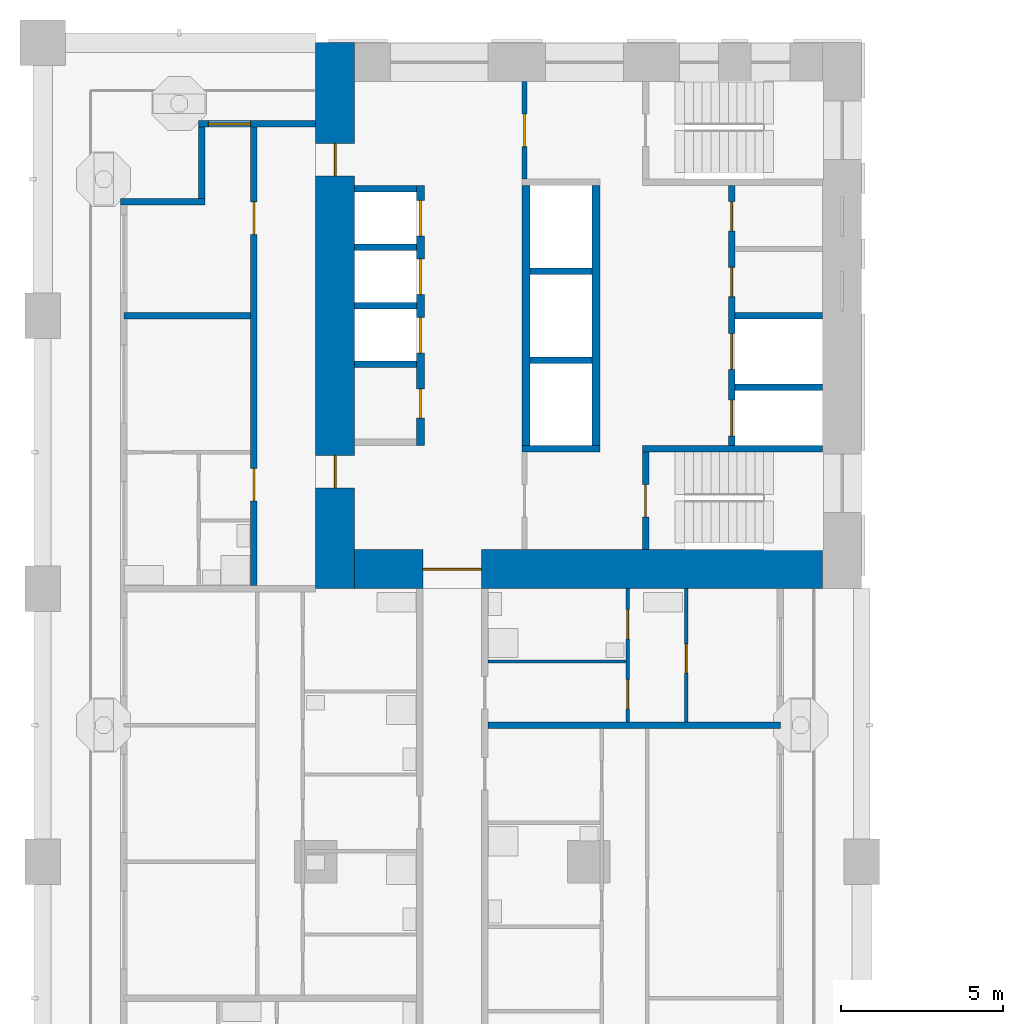
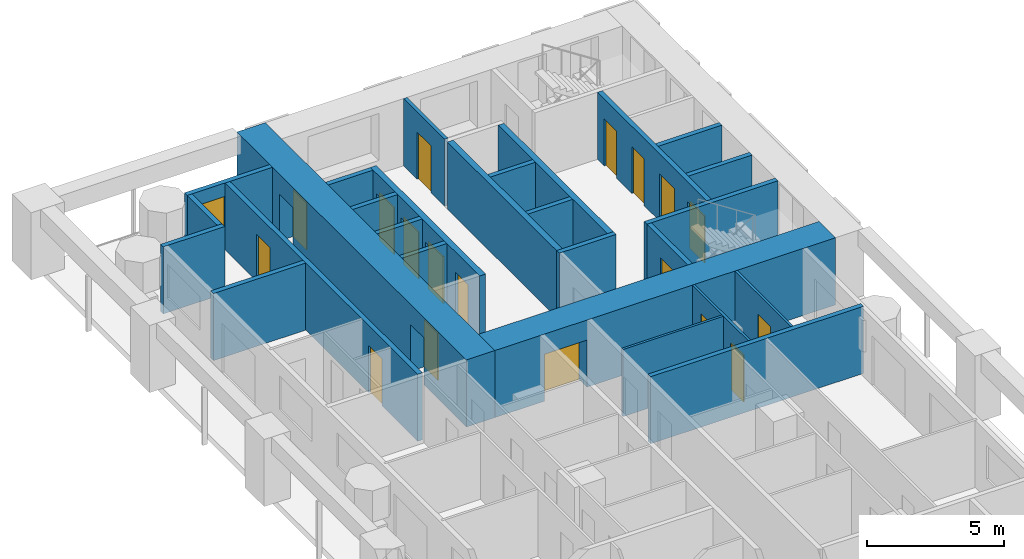
# One storey, part 9 of 21: 27 walls, 18 doors, 1 window, 19 openings.
"""IFC4 building model written with IfcOpenShell, lengths in metres."""

import ifcopenshell
import ifcopenshell.guid

model = None  # the IFC model being written
_history = None  # IfcOwnerHistory: only IFC2X3 demands one
_inside = {}  # id of a spatial element -> (the spatial element, [elements in it])
_under = {}  # id of a project, library or spatial element -> (it, [spatial elements below it])
_declared = {}  # id of a project -> (the project, [libraries it declares])
_typed = {}  # id of a type object -> (the type object, [elements of that type])
_made_of = {}  # id of a material, layer set ... -> (it, [elements and type objects made of it])


def new_model(schema):
    """Start an empty IFC model of exactly this schema.

    Asked for "IFC4X3", IfcOpenShell would pick the latest addendum, in which some entities
    have other attributes; the version numbers below select the first issue.
    IFC2X3 requires an IfcOwnerHistory on every rooted entity: one is made here for all.
    """
    global model, _history
    if schema == "IFC4X3":
        model = ifcopenshell.file(schema_version=(4, 3, 0, 0))
    else:
        model = ifcopenshell.file(schema=schema)
    _inside.clear()
    _under.clear()
    _declared.clear()
    _typed.clear()
    _made_of.clear()
    _history = None
    if model.schema == "IFC2X3":
        org = make("IfcOrganization", Name="unknown")
        user = make(
            "IfcPersonAndOrganization",
            ThePerson=make("IfcPerson", FamilyName="unknown"),
            TheOrganization=org,
        )
        app = make(
            "IfcApplication",
            ApplicationDeveloper=org,
            Version="unknown",
            ApplicationFullName="unknown",
            ApplicationIdentifier="unknown",
        )
        _history = make(
            "IfcOwnerHistory",
            OwningUser=user,
            OwningApplication=app,
            ChangeAction="ADDED",
            CreationDate=0,
        )
    return model


def make(cls, **values):
    """One entity of the class cls with the attributes given. An attribute that is None is left unset."""
    return model.create_entity(
        cls, **{name: value for name, value in values.items() if value is not None}
    )


def rooted(cls, **values):
    """An entity with a GlobalId (a new one), such as an element, a storey or a relation."""
    return make(cls, GlobalId=ifcopenshell.guid.new(), OwnerHistory=_history, **values)


def si_unit(unit_type, name, prefix=None):
    """IfcSIUnit, for example si_unit("LENGTHUNIT", "METRE", prefix="MILLI")."""
    return make("IfcSIUnit", UnitType=unit_type, Prefix=prefix, Name=name)


def assignment(units):
    """IfcUnitAssignment: the units of a project."""
    return None if units is None else make("IfcUnitAssignment", Units=units)


def point(xyz):
    """IfcCartesianPoint."""
    return None if xyz is None else make("IfcCartesianPoint", Coordinates=xyz)


def direction(xyz):
    """IfcDirection."""
    return None if xyz is None else make("IfcDirection", DirectionRatios=xyz)


def frame(location, z_axis=None, x_axis=None):
    """IfcAxis2Placement3D, a coordinate frame: its origin and axes. An axis left out is left unset."""
    return make(
        "IfcAxis2Placement3D",
        Location=point(location),
        Axis=direction(z_axis),
        RefDirection=direction(x_axis),
    )


def frame_2d(location, x_axis=None):
    """IfcAxis2Placement2D, a coordinate frame in the plane: its origin and x axis."""
    return make(
        "IfcAxis2Placement2D", Location=point(location), RefDirection=direction(x_axis)
    )


def origin():
    """The frame at (0, 0, 0) with its axes left unset."""
    return frame((0.0, 0.0, 0.0))


def place(relative_to, where):
    """IfcLocalPlacement: puts the frame where relative to a parent placement (None: the world)."""
    return make(
        "IfcLocalPlacement", PlacementRelTo=relative_to, RelativePlacement=where
    )


def context(
    kind, dimensions, precision=None, world=None, true_north=None, identifier=None
):
    """IfcGeometricRepresentationContext, for example the 3D "Model" context."""
    return make(
        "IfcGeometricRepresentationContext",
        ContextIdentifier=identifier,
        ContextType=kind,
        CoordinateSpaceDimension=dimensions,
        Precision=precision,
        WorldCoordinateSystem=world,
        TrueNorth=true_north,
    )


def subcontext(parent, identifier, kind, view, scale=None):
    """IfcGeometricRepresentationSubContext, for example "Body" below "Model"."""
    return make(
        "IfcGeometricRepresentationSubContext",
        ContextIdentifier=identifier,
        ContextType=kind,
        ParentContext=parent,
        TargetScale=scale,
        TargetView=view,
    )


def project(units=None, contexts=None):
    """IfcProject with its units and contexts."""
    return rooted(
        "IfcProject",
        Name="project",
        RepresentationContexts=contexts,
        UnitsInContext=assignment(units),
    )


def spatial(cls, under=None, at=None, **own):
    """A site, building, storey or space (cls), placed at a placement, below another one or the project."""
    s = rooted(cls, ObjectPlacement=at, **own)
    if under is not None:
        _under.setdefault(under.id(), (under, []))[1].append(s)
    return s


def profile(cls, at=None, kind="AREA", **sizes):
    """A parametric profile (cls). Its sizes go by their IFC names, for example OverallWidth=200.0."""
    return make(cls, ProfileType=kind, Position=at, **sizes)


def rectangle(**sizes):
    """IfcRectangleProfileDef."""
    return profile("IfcRectangleProfileDef", **sizes)


def extrude(swept, where, along, depth):
    """IfcExtrudedAreaSolid: the profile swept, set in the frame where, extruded along a direction by depth."""
    return make(
        "IfcExtrudedAreaSolid",
        SweptArea=swept,
        Position=where,
        ExtrudedDirection=direction(along),
        Depth=depth,
    )


def shape(context_of_items, identifier, shape_type, items):
    """IfcShapeRepresentation: the items that make up one representation, for example the "Body"."""
    return make(
        "IfcShapeRepresentation",
        ContextOfItems=context_of_items,
        RepresentationIdentifier=identifier,
        RepresentationType=shape_type,
        Items=items,
    )


def material(Name=None, Category=None):
    """IfcMaterial."""
    return make("IfcMaterial", Name=Name, Category=Category)


def layer(
    of_material, thickness, ventilated=None, Name=None, Category=None, Priority=None
):
    """IfcMaterialLayer: one layer of a wall or slab, of a material (None: an air gap)."""
    return make(
        "IfcMaterialLayer",
        Material=of_material,
        LayerThickness=thickness,
        IsVentilated=ventilated,
        Name=Name,
        Category=Category,
        Priority=Priority,
    )


def layer_set(layers, Name=None):
    """IfcMaterialLayerSet."""
    return make("IfcMaterialLayerSet", MaterialLayers=layers, LayerSetName=Name)


def made_of(thing, what):
    """Note that an element or type object is made of a material, layer set ...; save() writes the relation."""
    if what is not None:
        _made_of.setdefault(what.id(), (what, []))[1].append(thing)
    return thing


def type_object(cls, material=None, **own):
    """A type object (cls), such as IfcWallType, which elements share."""
    return made_of(rooted(cls, **own), material)


def element(
    cls,
    number,
    at=None,
    inside=None,
    cuts=None,
    type_object=None,
    material=None,
    context=None,
    identifier="Body",
    shape_type=None,
    held_by="IfcProductDefinitionShape",
    body=None,
    shapes=None,
    **own,
):
    """One element of the class cls, such as IfcWall. Its Tag is "e" and its number.

    at: its placement. inside: the storey or other place that contains it. cuts: it is an
    opening in that element (IfcRelVoidsElement). A single representation is given by context,
    identifier, shape_type and body (its items); several are given by shapes. held_by: the class
    of the entity that holds the representations. save() writes the other relations.
    """
    e = rooted(cls, Tag="e%d" % number, ObjectPlacement=at, **own)
    if body is not None:
        shapes = [shape(context, identifier, shape_type, body)]
    if shapes is not None:
        e.Representation = make(held_by, Representations=shapes)
    if inside is not None:
        _inside.setdefault(inside.id(), (inside, []))[1].append(e)
    if cuts is not None:
        rooted(
            "IfcRelVoidsElement", RelatingBuildingElement=cuts, RelatedOpeningElement=e
        )
    if type_object is not None:
        _typed.setdefault(type_object.id(), (type_object, []))[1].append(e)
    return made_of(e, material)


def fill(opening, filler):
    """IfcRelFillsElement: the door or window that sits in an opening."""
    return rooted(
        "IfcRelFillsElement",
        RelatingOpeningElement=opening,
        RelatedBuildingElement=filler,
    )


def aggregate(whole, parts):
    """IfcRelAggregates: a whole, such as a stair, and the parts it consists of."""
    return rooted("IfcRelAggregates", RelatingObject=whole, RelatedObjects=parts)


def save(model, path):
    """Write the relations noted so far, then the file.

    IfcRelAggregates (storeys below a building ...), IfcRelContainedInSpatialStructure (elements
    in a storey), IfcRelDefinesByType, IfcRelAssociatesMaterial and IfcRelDeclares: one each for
    every whole, place, type object, material and project.
    """
    for whole, parts in _under.values():
        aggregate(whole, parts)
    for where, things in _inside.values():
        rooted(
            "IfcRelContainedInSpatialStructure",
            RelatedElements=things,
            RelatingStructure=where,
        )
    for kind, things in _typed.values():
        rooted("IfcRelDefinesByType", RelatedObjects=things, RelatingType=kind)
    for what, things in _made_of.values():
        rooted("IfcRelAssociatesMaterial", RelatedObjects=things, RelatingMaterial=what)
    for by, libraries in _declared.values():
        rooted("IfcRelDeclares", RelatingContext=by, RelatedDefinitions=libraries)
    model.write(path)


model = new_model("IFC4")

# Units and contexts
model_context = context("Model", 3, precision=1e-05, world=origin(), true_north=direction((0.0, 1.0)))
body_context = subcontext(model_context, "Body", "Model", "MODEL_VIEW")
ifc_project = project(units=[si_unit("LENGTHUNIT", "METRE"), si_unit("AREAUNIT", "SQUARE_METRE"), si_unit("VOLUMEUNIT", "CUBIC_METRE"), si_unit("PLANEANGLEUNIT", "RADIAN"), si_unit("MASSUNIT", "GRAM", prefix="KILO")], contexts=[model_context])

# Site, building, storey
site_placement = place(None, origin())
site = spatial("IfcSite", under=ifc_project, at=site_placement, CompositionType="ELEMENT")
building_placement = place(site_placement, origin())
building = spatial("IfcBuilding", under=site, at=building_placement, Name="Vermilion Gate Residences", CompositionType="ELEMENT")
storey_placement = place(building_placement, frame((0.0, 0.0, 70.699951171875)))
storey = spatial("IfcBuildingStorey", under=building, at=storey_placement, Name="L17", CompositionType="ELEMENT", Elevation=70.699951171875)

# Wall, opening, door
ifc_material_1 = material(Name="Masonry blockwork", Category="masonry")
ifc_layer_1 = layer(ifc_material_1, 0.14990234375)
ifc_layer_set_1 = layer_set([ifc_layer_1], Name="BLOCKWORK PARTITION 150 EI 120")
wall_type_1 = type_object("IfcWallType", Name="BLOCKWORK PARTITION 150 EI 120", PredefinedType="PARTITIONING", material=ifc_layer_set_1)
wall_1_placement = place(storey_placement, frame((14.824951171875, 57.60009765625, 0.0), z_axis=(0.0, 0.0, 1.0), x_axis=(0.0, -1.0, 0.0)))
wall_1 = element("IfcWall", 1, at=wall_1_placement, inside=storey, type_object=wall_type_1, Name="Core room partition B17-VW-S", PredefinedType="PARTITIONING", context=body_context, shape_type="SweptSolid", body=[
    extrude(rectangle(XDim=3.0, YDim=0.14990234375, at=frame_2d((1.5, 0.0))), origin(), (0.0, 0.0, 1.0), 3.0),
])
opening_1_placement = place(wall_1_placement, frame((1.0, 0.0, 0.0)))
opening_1 = element("IfcOpeningElement", 2, at=opening_1_placement, cuts=wall_1, Name="Opening DK17112", PredefinedType="OPENING", context=body_context, shape_type="SweptSolid", body=[
    extrude(rectangle(XDim=1.0, YDim=2.10009765625, at=frame_2d((0.5, 1.050048828125))), frame((0.0, 0.0849609375, 0.0), z_axis=(0.0, -1.0, 0.0), x_axis=(1.0, 0.0, 0.0)), (0.0, 0.0, 1.0), 0.169921875),
])
ifc_material_2 = material(Name="Steel", Category="steel")
door_type_1 = type_object("IfcDoorType", Name="FIRE DOOR FD60 1000 X 2100", OperationType="SINGLE_SWING_LEFT", PredefinedType="DOOR", material=ifc_material_2)
door_1_placement = place(opening_1_placement, frame((1.0, 0.0, 0.0), z_axis=(0.0, 0.0, 1.0), x_axis=(-1.0, 0.0, 0.0)))
door_1 = element("IfcDoor", 3, at=door_1_placement, inside=storey, type_object=door_type_1, Name="Stair vestibule door B17", OperationType="SINGLE_SWING_RIGHT", OverallHeight=2.10009765625, OverallWidth=1.0, PredefinedType="DOOR", context=body_context, shape_type="SweptSolid", body=[
    extrude(rectangle(XDim=1.0, YDim=2.10009765625, at=frame_2d((0.5, 1.050048828125))), frame((0.0, 0.02490234375, 0.0), z_axis=(0.0, -1.0, 0.0), x_axis=(1.0, 0.0, 0.0)), (0.0, 0.0, 1.0), 0.050048828125),
])
fill(opening_1, door_1)

# Wall, opening, window
ifc_material_3 = material(Name="Insulated steel stud wall with terracotta rainscreen", Category="masonry")
ifc_layer_2 = layer(ifc_material_3, 0.199951171875)
ifc_layer_set_2 = layer_set([ifc_layer_2], Name="EXTERNAL WALL 200 TERRACOTTA RAINSCREEN")
wall_type_2 = type_object("IfcWallType", Name="EXTERNAL WALL 200 TERRACOTTA RAINSCREEN", PredefinedType="SOLIDWALL", material=ifc_layer_set_2)
wall_2_placement = place(storey_placement, frame((8.39990234375, 56.300048828125, 0.0), z_axis=(0.0, 0.0, 1.0), x_axis=(-1.0, 0.0, 0.0)))
wall_2 = element("IfcWall", 4, at=wall_2_placement, inside=storey, type_object=wall_type_2, Name="External wall", PredefinedType="SOLIDWALL", context=body_context, shape_type="SweptSolid", body=[
    extrude(rectangle(XDim=3.599853515625, YDim=0.199951171875, at=frame_2d((1.7998046875, 0.0))), origin(), (0.0, 0.0, 1.0), 3.0),
])
opening_2_placement = place(wall_2_placement, frame((2.0, 0.0, 0.89990234375)))
opening_2 = element("IfcOpeningElement", 5, at=opening_2_placement, cuts=wall_2, Name="Opening WE17001", PredefinedType="OPENING", context=body_context, shape_type="SweptSolid", body=[
    extrude(rectangle(XDim=1.300048828125, YDim=1.5, at=frame_2d((0.64990234375, 0.75))), frame((0.0, 0.10986328125, 0.0), z_axis=(0.0, -1.0, 0.0), x_axis=(1.0, 0.0, 0.0)), (0.0, 0.0, 1.0), 0.219970703125),
])
ifc_material_4 = material(Name="Aluminium and clear glass", Category="aluminium")
window_type = type_object("IfcWindowType", Name="WINDOW 1300 X 1500", PartitioningType="SINGLE_PANEL", PredefinedType="WINDOW", material=ifc_material_4)
window_placement = place(opening_2_placement, origin())
window = element("IfcWindow", 6, at=window_placement, inside=storey, type_object=window_type, Name="Window", OverallHeight=1.5, OverallWidth=1.300048828125, PartitioningType="SINGLE_PANEL", PredefinedType="WINDOW", context=body_context, shape_type="SweptSolid", body=[
    extrude(rectangle(XDim=1.300048828125, YDim=1.5, at=frame_2d((0.64990234375, 0.75))), frame((0.0, 0.030029296875, 0.0), z_axis=(0.0, -1.0, 0.0), x_axis=(1.0, 0.0, 0.0)), (0.0, 0.0, 1.0), 0.06005859375),
])
fill(opening_2, window)

# Walls
wall_3_placement = place(storey_placement, frame((4.89990234375, 56.199951171875, 0.0), z_axis=(0.0, 0.0, 1.0), x_axis=(0.0, -1.0, 0.0)))
element("IfcWall", 7, at=wall_3_placement, inside=storey, type_object=wall_type_2, Name="External wall", PredefinedType="SOLIDWALL", context=body_context, shape_type="SweptSolid", body=[
    extrude(rectangle(XDim=2.199951171875, YDim=0.199951171875, at=frame_2d((1.10009765625, 0.0))), origin(), (0.0, 0.0, 1.0), 3.0),
])
wall_4_placement = place(storey_placement, frame((5.0, 53.89990234375, 0.0), z_axis=(0.0, 0.0, 1.0), x_axis=(-1.0, 0.0, 0.0)))
element("IfcWall", 8, at=wall_4_placement, inside=storey, type_object=wall_type_2, Name="External wall", PredefinedType="SOLIDWALL", context=body_context, shape_type="SweptSolid", body=[
    extrude(rectangle(XDim=2.60009765625, YDim=0.199951171875, at=frame_2d((1.300048828125, 0.0))), origin(), (0.0, 0.0, 1.0), 3.0),
])
ifc_material_5 = material(Name="Plasterboard on steel studs", Category="steel")
ifc_layer_3 = layer(ifc_material_5, 0.10009765625)
ifc_layer_set_3 = layer_set([ifc_layer_3], Name="PARTITION 100")
wall_type_3 = type_object("IfcWallType", Name="PARTITION 100", PredefinedType="PARTITIONING", material=ifc_layer_set_3)
wall_5_placement = place(storey_placement, frame((13.699951171875, 39.760009765625, 0.0), z_axis=(0.0, 0.0, 1.0), x_axis=(1.0, 0.0, 0.0)))
element("IfcWall", 9, at=wall_5_placement, inside=storey, type_object=wall_type_3, Name="Partition", PredefinedType="PARTITIONING", context=body_context, shape_type="SweptSolid", body=[
    extrude(rectangle(XDim=4.25, YDim=0.10009765625, at=frame_2d((2.125, 0.0))), origin(), (0.0, 0.0, 1.0), 3.0),
])

# Wall, openings, doors
wall_6_placement = place(storey_placement, frame((18.0, 37.89990234375, 0.0), z_axis=(0.0, 0.0, 1.0), x_axis=(0.0, 1.0, 0.0)))
wall_6 = element("IfcWall", 10, at=wall_6_placement, inside=storey, type_object=wall_type_3, Name="Partition", PredefinedType="PARTITIONING", context=body_context, shape_type="SweptSolid", body=[
    extrude(rectangle(XDim=4.10009765625, YDim=0.10009765625, at=frame_2d((2.050048828125, 0.0))), origin(), (0.0, 0.0, 1.0), 3.0),
])
opening_3_placement = place(wall_6_placement, frame((0.39990234375, 0.0, 0.0)))
opening_3 = element("IfcOpeningElement", 11, at=opening_3_placement, cuts=wall_6, Name="Opening DA16076", PredefinedType="OPENING", context=body_context, shape_type="SweptSolid", body=[
    extrude(rectangle(XDim=0.89990234375, YDim=2.10009765625, at=frame_2d((0.449951171875, 1.050048828125))), frame((0.0, 0.06005859375, 0.0), z_axis=(0.0, -1.0, 0.0), x_axis=(1.0, 0.0, 0.0)), (0.0, 0.0, 1.0), 0.1201171875),
])
opening_4_placement = place(wall_6_placement, frame((2.56005859375, 0.0, 0.0)))
opening_4 = element("IfcOpeningElement", 12, at=opening_4_placement, cuts=wall_6, Name="Opening DA16077", PredefinedType="OPENING", context=body_context, shape_type="SweptSolid", body=[
    extrude(rectangle(XDim=0.89990234375, YDim=2.10009765625, at=frame_2d((0.449951171875, 1.050048828125))), frame((0.0, 0.06005859375, 0.0), z_axis=(0.0, -1.0, 0.0), x_axis=(1.0, 0.0, 0.0)), (0.0, 0.0, 1.0), 0.1201171875),
])
ifc_material_6 = material(Name="Timber", Category="wood")
door_type_2 = type_object("IfcDoorType", Name="INTERIOR DOOR 900 X 2100", OperationType="SINGLE_SWING_LEFT", PredefinedType="DOOR", material=ifc_material_6)
door_2_placement = place(opening_3_placement, frame((0.89990234375, 0.0, 0.0), z_axis=(0.0, 0.0, 1.0), x_axis=(-1.0, 0.0, 0.0)))
door_2 = element("IfcDoor", 13, at=door_2_placement, inside=storey, type_object=door_type_2, Name="Interior door", OperationType="SINGLE_SWING_RIGHT", OverallHeight=2.10009765625, OverallWidth=0.89990234375, PredefinedType="DOOR", context=body_context, shape_type="SweptSolid", body=[
    extrude(rectangle(XDim=0.89990234375, YDim=2.10009765625, at=frame_2d((0.449951171875, 1.050048828125))), frame((0.0, 0.02490234375, 0.0), z_axis=(0.0, -1.0, 0.0), x_axis=(1.0, 0.0, 0.0)), (0.0, 0.0, 1.0), 0.050048828125),
])
fill(opening_3, door_2)
door_3_placement = place(opening_4_placement, frame((0.89990234375, 0.0, 0.0), z_axis=(0.0, 0.0, 1.0), x_axis=(-1.0, 0.0, 0.0)))
door_3 = element("IfcDoor", 14, at=door_3_placement, inside=storey, type_object=door_type_2, Name="Interior door", OperationType="SINGLE_SWING_RIGHT", OverallHeight=2.10009765625, OverallWidth=0.89990234375, PredefinedType="DOOR", context=body_context, shape_type="SweptSolid", body=[
    extrude(rectangle(XDim=0.89990234375, YDim=2.10009765625, at=frame_2d((0.449951171875, 1.050048828125))), frame((0.0, 0.02490234375, 0.0), z_axis=(0.0, -1.0, 0.0), x_axis=(1.0, 0.0, 0.0)), (0.0, 0.0, 1.0), 0.050048828125),
])
fill(opening_4, door_3)

# Wall, opening, door
wall_7_placement = place(storey_placement, frame((19.800048828125, 37.89990234375, 0.0), z_axis=(0.0, 0.0, 1.0), x_axis=(0.0, 1.0, 0.0)))
wall_7 = element("IfcWall", 15, at=wall_7_placement, inside=storey, type_object=wall_type_3, Name="Partition", PredefinedType="PARTITIONING", context=body_context, shape_type="SweptSolid", body=[
    extrude(rectangle(XDim=4.10009765625, YDim=0.10009765625, at=frame_2d((2.050048828125, 0.0))), origin(), (0.0, 0.0, 1.0), 3.0),
])
opening_5_placement = place(wall_7_placement, frame((1.5, 0.0, 0.0)))
opening_5 = element("IfcOpeningElement", 16, at=opening_5_placement, cuts=wall_7, Name="Opening DA16080", PredefinedType="OPENING", context=body_context, shape_type="SweptSolid", body=[
    extrude(rectangle(XDim=0.89990234375, YDim=2.10009765625, at=frame_2d((0.449951171875, 1.050048828125))), frame((0.0, 0.06005859375, 0.0), z_axis=(0.0, -1.0, 0.0), x_axis=(1.0, 0.0, 0.0)), (0.0, 0.0, 1.0), 0.1201171875),
])
door_4_placement = place(opening_5_placement, origin())
door_4 = element("IfcDoor", 17, at=door_4_placement, inside=storey, type_object=door_type_2, Name="Interior door", OperationType="SINGLE_SWING_RIGHT", OverallHeight=2.10009765625, OverallWidth=0.89990234375, PredefinedType="DOOR", context=body_context, shape_type="SweptSolid", body=[
    extrude(rectangle(XDim=0.89990234375, YDim=2.10009765625, at=frame_2d((0.449951171875, 1.050048828125))), frame((0.0, 0.02490234375, 0.0), z_axis=(0.0, -1.0, 0.0), x_axis=(1.0, 0.0, 0.0)), (0.0, 0.0, 1.0), 0.050048828125),
])
fill(opening_5, door_4)

# Walls
ifc_material_7 = material(Name="Fire-rated plasterboard on steel studs", Category="steel")
ifc_layer_4 = layer(ifc_material_7, 0.199951171875)
ifc_layer_set_4 = layer_set([ifc_layer_4], Name="PARTY WALL 200 EI 120")
wall_type_4 = type_object("IfcWallType", Name="PARTY WALL 200 EI 120", PredefinedType="PARTITIONING", material=ifc_layer_set_4)
wall_8_placement = place(storey_placement, frame((13.699951171875, 37.800048828125, 0.0), z_axis=(0.0, 0.0, 1.0), x_axis=(1.0, 0.0, 0.0)))
element("IfcWall", 18, at=wall_8_placement, inside=storey, type_object=wall_type_4, Name="Party and corridor wall", PredefinedType="PARTITIONING", context=body_context, shape_type="SweptSolid", body=[
    extrude(rectangle(XDim=9.0, YDim=0.199951171875, at=frame_2d((4.5, 0.0))), origin(), (0.0, 0.0, 1.0), 3.0),
])
wall_9_placement = place(storey_placement, frame((2.5, 50.39990234375, 0.0), z_axis=(0.0, 0.0, 1.0), x_axis=(1.0, 0.0, 0.0)))
element("IfcWall", 19, at=wall_9_placement, inside=storey, type_object=wall_type_4, Name="Party and corridor wall", PredefinedType="PARTITIONING", context=body_context, shape_type="SweptSolid", body=[
    extrude(rectangle(XDim=3.89990234375, YDim=0.199951171875, at=frame_2d((1.949951171875, 0.0))), origin(), (0.0, 0.0, 1.0), 3.0),
])

# Wall, openings, doors
wall_10_placement = place(storey_placement, frame((6.5, 42.10009765625, 0.0), z_axis=(0.0, 0.0, 1.0), x_axis=(0.0, 1.0, 0.0)))
wall_10 = element("IfcWall", 20, at=wall_10_placement, inside=storey, type_object=wall_type_4, Name="Party and corridor wall", PredefinedType="PARTITIONING", context=body_context, shape_type="SweptSolid", body=[
    extrude(rectangle(XDim=14.199951171875, YDim=0.199951171875, at=frame_2d((7.10009765625, 0.0))), origin(), (0.0, 0.0, 1.0), 3.0),
])
opening_6_placement = place(wall_10_placement, frame((2.60009765625, 0.0, 0.0)))
opening_6 = element("IfcOpeningElement", 21, at=opening_6_placement, cuts=wall_10, Name="Opening DA16046", PredefinedType="OPENING", context=body_context, shape_type="SweptSolid", body=[
    extrude(rectangle(XDim=1.0, YDim=2.10009765625, at=frame_2d((0.5, 1.050048828125))), frame((0.0, 0.10986328125, 0.0), z_axis=(0.0, -1.0, 0.0), x_axis=(1.0, 0.0, 0.0)), (0.0, 0.0, 1.0), 0.219970703125),
])
opening_7_placement = place(wall_10_placement, frame((10.800048828125, 0.0, 0.0)))
opening_7 = element("IfcOpeningElement", 22, at=opening_7_placement, cuts=wall_10, Name="Opening DA16047", PredefinedType="OPENING", context=body_context, shape_type="SweptSolid", body=[
    extrude(rectangle(XDim=1.0, YDim=2.10009765625, at=frame_2d((0.5, 1.050048828125))), frame((0.0, 0.10986328125, 0.0), z_axis=(0.0, -1.0, 0.0), x_axis=(1.0, 0.0, 0.0)), (0.0, 0.0, 1.0), 0.219970703125),
])
ifc_material_8 = material(Name="Steel", Category="steel")
door_type_3 = type_object("IfcDoorType", Name="ENTRANCE DOOR 1000 X 2100 FD30", OperationType="SINGLE_SWING_LEFT", PredefinedType="DOOR", material=ifc_material_8)
door_5_placement = place(opening_6_placement, origin())
door_5 = element("IfcDoor", 23, at=door_5_placement, inside=storey, type_object=door_type_3, Name="Entrance door", OperationType="SINGLE_SWING_RIGHT", OverallHeight=2.10009765625, OverallWidth=1.0, PredefinedType="DOOR", context=body_context, shape_type="SweptSolid", body=[
    extrude(rectangle(XDim=1.0, YDim=2.10009765625, at=frame_2d((0.5, 1.050048828125))), frame((0.0, 0.02490234375, 0.0), z_axis=(0.0, -1.0, 0.0), x_axis=(1.0, 0.0, 0.0)), (0.0, 0.0, 1.0), 0.050048828125),
])
fill(opening_6, door_5)
door_6_placement = place(opening_7_placement, origin())
door_6 = element("IfcDoor", 24, at=door_6_placement, inside=storey, type_object=door_type_3, Name="Entrance door", OperationType="SINGLE_SWING_RIGHT", OverallHeight=2.10009765625, OverallWidth=1.0, PredefinedType="DOOR", context=body_context, shape_type="SweptSolid", body=[
    extrude(rectangle(XDim=1.0, YDim=2.10009765625, at=frame_2d((0.5, 1.050048828125))), frame((0.0, 0.02490234375, 0.0), z_axis=(0.0, -1.0, 0.0), x_axis=(1.0, 0.0, 0.0)), (0.0, 0.0, 1.0), 0.050048828125),
])
fill(opening_7, door_6)

# Walls
ifc_material_9 = material(Name="Concrete C60", Category="concrete")
ifc_layer_5 = layer(ifc_material_9, 0.199951171875)
ifc_layer_set_5 = layer_set([ifc_layer_5], Name="RC CORE INTERNAL WALL 200 C60")
wall_type_5 = type_object("IfcWallType", Name="RC CORE INTERNAL WALL 200 C60", PredefinedType="SHEAR", material=ifc_layer_set_5)
for number, where, z_axis, x_axis, name in (
    (25, (9.60009765625, 54.300048828125, 0.0), (0.0, 0.0, 1.0), (1.0, 0.0, 0.0), "Core internal wall B17-LR-D0"),
    (26, (9.60009765625, 52.5, 0.0), (0.0, 0.0, 1.0), (1.0, 0.0, 0.0), "Core internal wall B17-LR-D1"),
    (27, (9.60009765625, 50.699951171875, 0.0), (0.0, 0.0, 1.0), (1.0, 0.0, 0.0), "Core internal wall B17-LR-D2"),
    (28, (9.60009765625, 48.89990234375, 0.0), (0.0, 0.0, 1.0), (1.0, 0.0, 0.0), "Core internal wall B17-LR-D3"),
    (29, (15.0, 51.7666015625, 0.0), (0.0, 0.0, 1.0), (1.0, 0.0, 0.0), "Core internal wall B17-HR-D1"),
    (30, (15.0, 49.033447265625, 0.0), (0.0, 0.0, 1.0), (1.0, 0.0, 0.0), "Core internal wall B17-HR-D2"),
):
    element("IfcWall", number, at=place(storey_placement, frame(where, z_axis=z_axis, x_axis=x_axis)), inside=storey, type_object=wall_type_5, Name=name, PredefinedType="SHEAR", context=body_context, shape_type="SweptSolid", body=[
        extrude(rectangle(XDim=1.89990234375, YDim=0.199951171875, at=frame_2d((0.949951171875, 0.0))), origin(), (0.0, 0.0, 1.0), 3.0),
    ])
for number, where, z_axis, x_axis, name in (
    (31, (21.300048828125, 50.39990234375, 0.0), (0.0, 0.0, 1.0), (1.0, 0.0, 0.0), "Core internal wall B17-FF-D0"),
    (32, (21.300048828125, 48.199951171875, 0.0), (0.0, 0.0, 1.0), (1.0, 0.0, 0.0), "Core internal wall B17-FF-D1"),
):
    element("IfcWall", number, at=place(storey_placement, frame(where, z_axis=z_axis, x_axis=x_axis)), inside=storey, type_object=wall_type_5, Name=name, PredefinedType="SHEAR", context=body_context, shape_type="SweptSolid", body=[
        extrude(rectangle(XDim=2.699951171875, YDim=0.199951171875, at=frame_2d((1.35009765625, 0.0))), origin(), (0.0, 0.0, 1.0), 3.0),
    ])

# Wall, openings, doors
wall_11_placement = place(storey_placement, frame((21.199951171875, 54.39990234375, 0.0), z_axis=(0.0, 0.0, 1.0), x_axis=(0.0, -1.0, 0.0)))
wall_11 = element("IfcWall", 33, at=wall_11_placement, inside=storey, type_object=wall_type_5, Name="Core internal wall B17-FF-F", PredefinedType="SHEAR", context=body_context, shape_type="SweptSolid", body=[
    extrude(rectangle(XDim=8.0, YDim=0.199951171875, at=frame_2d((4.0, 0.0))), origin(), (0.0, 0.0, 1.0), 3.0),
])
opening_8_placement = place(wall_11_placement, frame((0.487548828125, 0.0, 0.0)))
opening_8 = element("IfcOpeningElement", 34, at=opening_8_placement, cuts=wall_11, Name="Opening DK17108", PredefinedType="OPENING", context=body_context, shape_type="SweptSolid", body=[
    extrude(rectangle(XDim=0.89990234375, YDim=2.10009765625, at=frame_2d((0.449951171875, 1.050048828125))), frame((0.0, 0.10986328125, 0.0), z_axis=(0.0, -1.0, 0.0), x_axis=(1.0, 0.0, 0.0)), (0.0, 0.0, 1.0), 0.219970703125),
])
opening_9_placement = place(wall_11_placement, frame((2.512451171875, 0.0, 0.0)))
opening_9 = element("IfcOpeningElement", 35, at=opening_9_placement, cuts=wall_11, Name="Opening DK17109", PredefinedType="OPENING", context=body_context, shape_type="SweptSolid", body=[
    extrude(rectangle(XDim=0.89990234375, YDim=2.10009765625, at=frame_2d((0.449951171875, 1.050048828125))), frame((0.0, 0.10986328125, 0.0), z_axis=(0.0, -1.0, 0.0), x_axis=(1.0, 0.0, 0.0)), (0.0, 0.0, 1.0), 0.219970703125),
])
opening_10_placement = place(wall_11_placement, frame((4.550048828125, 0.0, 0.0)))
opening_10 = element("IfcOpeningElement", 36, at=opening_10_placement, cuts=wall_11, Name="Opening LD", PredefinedType="OPENING", context=body_context, shape_type="SweptSolid", body=[
    extrude(rectangle(XDim=1.10009765625, YDim=2.10009765625, at=frame_2d((0.550048828125, 1.050048828125))), frame((0.0, 0.10986328125, 0.0), z_axis=(0.0, -1.0, 0.0), x_axis=(1.0, 0.0, 0.0)), (0.0, 0.0, 1.0), 0.219970703125),
])
opening_11_placement = place(wall_11_placement, frame((6.60009765625, 0.0, 0.0)))
opening_11 = element("IfcOpeningElement", 37, at=opening_11_placement, cuts=wall_11, Name="Opening LD", PredefinedType="OPENING", context=body_context, shape_type="SweptSolid", body=[
    extrude(rectangle(XDim=1.10009765625, YDim=2.10009765625, at=frame_2d((0.550048828125, 1.050048828125))), frame((0.0, 0.10986328125, 0.0), z_axis=(0.0, -1.0, 0.0), x_axis=(1.0, 0.0, 0.0)), (0.0, 0.0, 1.0), 0.219970703125),
])
ifc_material_10 = material(Name="Stainless steel", Category="steel")
door_type_4 = type_object("IfcDoorType", Name="LIFT LANDING DOOR E60 1100 X 2100", OperationType="DOUBLE_DOOR_SLIDING", PredefinedType="DOOR", material=ifc_material_10)
door_7_placement = place(opening_10_placement, origin())
door_7 = element("IfcDoor", 38, at=door_7_placement, inside=storey, type_object=door_type_4, Name="Lift landing door LFB1", OperationType="DOUBLE_DOOR_SLIDING", OverallHeight=2.10009765625, OverallWidth=1.10009765625, PredefinedType="DOOR", context=body_context, shape_type="SweptSolid", body=[
    extrude(rectangle(XDim=1.10009765625, YDim=2.10009765625, at=frame_2d((0.550048828125, 1.050048828125))), frame((0.0, 0.02490234375, 0.0), z_axis=(0.0, -1.0, 0.0), x_axis=(1.0, 0.0, 0.0)), (0.0, 0.0, 1.0), 0.050048828125),
])
fill(opening_10, door_7)
door_8_placement = place(opening_11_placement, origin())
door_8 = element("IfcDoor", 39, at=door_8_placement, inside=storey, type_object=door_type_4, Name="Lift landing door LCB1", OperationType="DOUBLE_DOOR_SLIDING", OverallHeight=2.10009765625, OverallWidth=1.10009765625, PredefinedType="DOOR", context=body_context, shape_type="SweptSolid", body=[
    extrude(rectangle(XDim=1.10009765625, YDim=2.10009765625, at=frame_2d((0.550048828125, 1.050048828125))), frame((0.0, 0.02490234375, 0.0), z_axis=(0.0, -1.0, 0.0), x_axis=(1.0, 0.0, 0.0)), (0.0, 0.0, 1.0), 0.050048828125),
])
fill(opening_11, door_8)
ifc_material_11 = material(Name="Steel", Category="steel")
door_type_5 = type_object("IfcDoorType", Name="SERVICE ROOM DOOR FD60 900 X 2100", OperationType="SINGLE_SWING_LEFT", PredefinedType="DOOR", material=ifc_material_11)
door_9_placement = place(opening_8_placement, origin())
door_9 = element("IfcDoor", 40, at=door_9_placement, inside=storey, type_object=door_type_5, Name="Electrical riser B17", OperationType="SINGLE_SWING_RIGHT", OverallHeight=2.10009765625, OverallWidth=0.89990234375, PredefinedType="DOOR", context=body_context, shape_type="SweptSolid", body=[
    extrude(rectangle(XDim=0.89990234375, YDim=2.10009765625, at=frame_2d((0.449951171875, 1.050048828125))), frame((0.0, 0.02490234375, 0.0), z_axis=(0.0, -1.0, 0.0), x_axis=(1.0, 0.0, 0.0)), (0.0, 0.0, 1.0), 0.050048828125),
])
fill(opening_8, door_9)
door_10_placement = place(opening_9_placement, origin())
door_10 = element("IfcDoor", 41, at=door_10_placement, inside=storey, type_object=door_type_5, Name="Cleaner's store B17", OperationType="SINGLE_SWING_RIGHT", OverallHeight=2.10009765625, OverallWidth=0.89990234375, PredefinedType="DOOR", context=body_context, shape_type="SweptSolid", body=[
    extrude(rectangle(XDim=0.89990234375, YDim=2.10009765625, at=frame_2d((0.449951171875, 1.050048828125))), frame((0.0, 0.02490234375, 0.0), z_axis=(0.0, -1.0, 0.0), x_axis=(1.0, 0.0, 0.0)), (0.0, 0.0, 1.0), 0.050048828125),
])
fill(opening_9, door_10)

# Walls
wall_12_placement = place(storey_placement, frame((14.75, 46.300048828125, 0.0), z_axis=(0.0, 0.0, 1.0), x_axis=(1.0, 0.0, 0.0)))
element("IfcWall", 42, at=wall_12_placement, inside=storey, type_object=wall_type_5, Name="Core internal wall B17-EDIV1", PredefinedType="SHEAR", context=body_context, shape_type="SweptSolid", body=[
    extrude(rectangle(XDim=2.39990234375, YDim=0.199951171875, at=frame_2d((1.199951171875, 0.0))), origin(), (0.0, 0.0, 1.0), 3.0),
])
wall_13_placement = place(storey_placement, frame((18.449951171875, 46.300048828125, 0.0), z_axis=(0.0, 0.0, 1.0), x_axis=(1.0, 0.0, 0.0)))
element("IfcWall", 43, at=wall_13_placement, inside=storey, type_object=wall_type_5, Name="Core internal wall B17-EDIV2", PredefinedType="SHEAR", context=body_context, shape_type="SweptSolid", body=[
    extrude(rectangle(XDim=5.550048828125, YDim=0.199951171875, at=frame_2d((2.77490234375, 0.0))), origin(), (0.0, 0.0, 1.0), 3.0),
])

# Wall, opening, door
wall_14_placement = place(storey_placement, frame((18.550048828125, 46.199951171875, 0.0), z_axis=(0.0, 0.0, 1.0), x_axis=(0.0, -1.0, 0.0)))
wall_14 = element("IfcWall", 44, at=wall_14_placement, inside=storey, type_object=wall_type_5, Name="Core internal wall B17-STE-S", PredefinedType="SHEAR", context=body_context, shape_type="SweptSolid", body=[
    extrude(rectangle(XDim=3.0, YDim=0.199951171875, at=frame_2d((1.5, 0.0))), origin(), (0.0, 0.0, 1.0), 3.0),
])
opening_12_placement = place(wall_14_placement, frame((1.0, 0.0, 0.0)))
opening_12 = element("IfcOpeningElement", 45, at=opening_12_placement, cuts=wall_14, Name="Opening DK17115", PredefinedType="OPENING", context=body_context, shape_type="SweptSolid", body=[
    extrude(rectangle(XDim=1.0, YDim=2.10009765625, at=frame_2d((0.5, 1.050048828125))), frame((0.0, 0.10986328125, 0.0), z_axis=(0.0, -1.0, 0.0), x_axis=(1.0, 0.0, 0.0)), (0.0, 0.0, 1.0), 0.219970703125),
])
door_11_placement = place(opening_12_placement, origin())
door_11 = element("IfcDoor", 46, at=door_11_placement, inside=storey, type_object=door_type_1, Name="Stair door B17", OperationType="SINGLE_SWING_LEFT", OverallHeight=2.10009765625, OverallWidth=1.0, PredefinedType="DOOR", context=body_context, shape_type="SweptSolid", body=[
    extrude(rectangle(XDim=1.0, YDim=2.10009765625, at=frame_2d((0.5, 1.050048828125))), frame((0.0, 0.02490234375, 0.0), z_axis=(0.0, -1.0, 0.0), x_axis=(1.0, 0.0, 0.0)), (0.0, 0.0, 1.0), 0.050048828125),
])
fill(opening_12, door_11)

# Wall, openings, doors
ifc_material_12 = material(Name="Concrete C80", Category="concrete")
ifc_layer_6 = layer(ifc_material_12, 1.199951171875)
ifc_layer_set_6 = layer_set([ifc_layer_6], Name="RC CORE WALL 1200 C80")
wall_type_6 = type_object("IfcWallType", Name="RC CORE WALL 1200 C80", PredefinedType="SHEAR", material=ifc_layer_set_6)
wall_15_placement = place(storey_placement, frame((9.0, 58.800048828125, 0.0), z_axis=(0.0, 0.0, 1.0), x_axis=(0.0, -1.0, 0.0)))
wall_15 = element("IfcWall", 47, at=wall_15_placement, inside=storey, type_object=wall_type_6, Name="Core wall B17-OUT-B0", PredefinedType="SHEAR", context=body_context, shape_type="SweptSolid", body=[
    extrude(rectangle(XDim=16.800048828125, YDim=1.199951171875, at=frame_2d((8.39990234375, 0.0))), origin(), (0.0, 0.0, 1.0), 3.0),
])
opening_13_placement = place(wall_15_placement, frame((3.10009765625, 0.0, 0.0)))
opening_13 = element("IfcOpeningElement", 48, at=opening_13_placement, cuts=wall_15, Name="Opening DK17101", PredefinedType="OPENING", context=body_context, shape_type="SweptSolid", body=[
    extrude(rectangle(XDim=1.0, YDim=2.10009765625, at=frame_2d((0.5, 1.050048828125))), frame((0.0, 0.60986328125, 0.0), z_axis=(0.0, -1.0, 0.0), x_axis=(1.0, 0.0, 0.0)), (0.0, 0.0, 1.0), 1.219970703125),
])
opening_14_placement = place(wall_15_placement, frame((12.699951171875, 0.0, 0.0)))
opening_14 = element("IfcOpeningElement", 49, at=opening_14_placement, cuts=wall_15, Name="Opening DK17102", PredefinedType="OPENING", context=body_context, shape_type="SweptSolid", body=[
    extrude(rectangle(XDim=1.0, YDim=2.10009765625, at=frame_2d((0.5, 1.050048828125))), frame((0.0, 0.60986328125, 0.0), z_axis=(0.0, -1.0, 0.0), x_axis=(1.0, 0.0, 0.0)), (0.0, 0.0, 1.0), 1.219970703125),
])
door_12_placement = place(opening_13_placement, origin())
door_12 = element("IfcDoor", 50, at=door_12_placement, inside=storey, type_object=door_type_1, Name="Core lobby side door B17", OperationType="SINGLE_SWING_RIGHT", OverallHeight=2.10009765625, OverallWidth=1.0, PredefinedType="DOOR", context=body_context, shape_type="SweptSolid", body=[
    extrude(rectangle(XDim=1.0, YDim=2.10009765625, at=frame_2d((0.5, 1.050048828125))), frame((0.0, 0.02490234375, 0.0), z_axis=(0.0, -1.0, 0.0), x_axis=(1.0, 0.0, 0.0)), (0.0, 0.0, 1.0), 0.050048828125),
])
fill(opening_13, door_12)
door_13_placement = place(opening_14_placement, origin())
door_13 = element("IfcDoor", 51, at=door_13_placement, inside=storey, type_object=door_type_1, Name="Core lobby side door B17", OperationType="SINGLE_SWING_LEFT", OverallHeight=2.10009765625, OverallWidth=1.0, PredefinedType="DOOR", context=body_context, shape_type="SweptSolid", body=[
    extrude(rectangle(XDim=1.0, YDim=2.10009765625, at=frame_2d((0.5, 1.050048828125))), frame((0.0, 0.02490234375, 0.0), z_axis=(0.0, -1.0, 0.0), x_axis=(1.0, 0.0, 0.0)), (0.0, 0.0, 1.0), 0.050048828125),
])
fill(opening_14, door_13)

# Wall, opening, door
wall_16_placement = place(storey_placement, frame((9.60009765625, 42.60009765625, 0.0), z_axis=(0.0, 0.0, 1.0), x_axis=(1.0, 0.0, 0.0)))
wall_16 = element("IfcWall", 52, at=wall_16_placement, inside=storey, type_object=wall_type_6, Name="Core wall B17-OUT-BK", PredefinedType="SHEAR", context=body_context, shape_type="SweptSolid", body=[
    extrude(rectangle(XDim=14.39990234375, YDim=1.199951171875, at=frame_2d((7.199951171875, 0.0))), origin(), (0.0, 0.0, 1.0), 3.0),
])
opening_15_placement = place(wall_16_placement, frame((2.10009765625, 0.0, 0.0)))
opening_15 = element("IfcOpeningElement", 53, at=opening_15_placement, cuts=wall_16, Name="Opening DK17103", PredefinedType="OPENING", context=body_context, shape_type="SweptSolid", body=[
    extrude(rectangle(XDim=1.800048828125, YDim=2.10009765625, at=frame_2d((0.89990234375, 1.050048828125))), frame((0.0, 0.60986328125, 0.0), z_axis=(0.0, -1.0, 0.0), x_axis=(1.0, 0.0, 0.0)), (0.0, 0.0, 1.0), 1.219970703125),
])
ifc_material_13 = material(Name="Steel", Category="steel")
door_type_6 = type_object("IfcDoorType", Name="CORE LOBBY DOOR FD60 1800 X 2100", OperationType="DOUBLE_DOOR_SINGLE_SWING", PredefinedType="DOOR", material=ifc_material_13)
door_14_placement = place(opening_15_placement, origin())
door_14 = element("IfcDoor", 54, at=door_14_placement, inside=storey, type_object=door_type_6, Name="Core lobby door B17", OperationType="DOUBLE_DOOR_SINGLE_SWING", OverallHeight=2.10009765625, OverallWidth=1.800048828125, PredefinedType="DOOR", context=body_context, shape_type="SweptSolid", body=[
    extrude(rectangle(XDim=1.800048828125, YDim=2.10009765625, at=frame_2d((0.89990234375, 1.050048828125))), frame((0.0, 0.02490234375, 0.0), z_axis=(0.0, -1.0, 0.0), x_axis=(1.0, 0.0, 0.0)), (0.0, 0.0, 1.0), 0.050048828125),
])
fill(opening_15, door_14)

# Wall, openings, doors
ifc_material_14 = material(Name="Concrete C60", Category="concrete")
ifc_layer_7 = layer(ifc_material_14, 0.25)
ifc_layer_set_7 = layer_set([ifc_layer_7], Name="RC LIFT SHAFT WALL 250 C60")
wall_type_7 = type_object("IfcWallType", Name="RC LIFT SHAFT WALL 250 C60", PredefinedType="SHEAR", material=ifc_layer_set_7)
wall_17_placement = place(storey_placement, frame((11.625, 54.39990234375, 0.0), z_axis=(0.0, 0.0, 1.0), x_axis=(0.0, -1.0, 0.0)))
wall_17 = element("IfcWall", 55, at=wall_17_placement, inside=storey, type_object=wall_type_7, Name="Lift shaft wall B17-LR-F", PredefinedType="SHEAR", context=body_context, shape_type="SweptSolid", body=[
    extrude(rectangle(XDim=8.0, YDim=0.25, at=frame_2d((4.0, 0.0))), origin(), (0.0, 0.0, 1.0), 3.0),
])
opening_16_placement = place(wall_17_placement, frame((0.449951171875, 0.0, 0.0)))
opening_16 = element("IfcOpeningElement", 56, at=opening_16_placement, cuts=wall_17, Name="Opening LD", PredefinedType="OPENING", context=body_context, shape_type="SweptSolid", body=[
    extrude(rectangle(XDim=1.10009765625, YDim=2.10009765625, at=frame_2d((0.550048828125, 1.050048828125))), frame((0.0, 0.135009765625, 0.0), z_axis=(0.0, -1.0, 0.0), x_axis=(1.0, 0.0, 0.0)), (0.0, 0.0, 1.0), 0.27001953125),
])
opening_17_placement = place(wall_17_placement, frame((2.25, 0.0, 0.0)))
opening_17 = element("IfcOpeningElement", 57, at=opening_17_placement, cuts=wall_17, Name="Opening LD", PredefinedType="OPENING", context=body_context, shape_type="SweptSolid", body=[
    extrude(rectangle(XDim=1.10009765625, YDim=2.10009765625, at=frame_2d((0.550048828125, 1.050048828125))), frame((0.0, 0.135009765625, 0.0), z_axis=(0.0, -1.0, 0.0), x_axis=(1.0, 0.0, 0.0)), (0.0, 0.0, 1.0), 0.27001953125),
])
opening_18_placement = place(wall_17_placement, frame((4.050048828125, 0.0, 0.0)))
opening_18 = element("IfcOpeningElement", 58, at=opening_18_placement, cuts=wall_17, Name="Opening LD", PredefinedType="OPENING", context=body_context, shape_type="SweptSolid", body=[
    extrude(rectangle(XDim=1.10009765625, YDim=2.10009765625, at=frame_2d((0.550048828125, 1.050048828125))), frame((0.0, 0.135009765625, 0.0), z_axis=(0.0, -1.0, 0.0), x_axis=(1.0, 0.0, 0.0)), (0.0, 0.0, 1.0), 0.27001953125),
])
opening_19_placement = place(wall_17_placement, frame((6.25, 0.0, 0.0)))
opening_19 = element("IfcOpeningElement", 59, at=opening_19_placement, cuts=wall_17, Name="Opening DK17107", PredefinedType="OPENING", context=body_context, shape_type="SweptSolid", body=[
    extrude(rectangle(XDim=0.89990234375, YDim=2.10009765625, at=frame_2d((0.449951171875, 1.050048828125))), frame((0.0, 0.135009765625, 0.0), z_axis=(0.0, -1.0, 0.0), x_axis=(1.0, 0.0, 0.0)), (0.0, 0.0, 1.0), 0.27001953125),
])
door_15_placement = place(opening_16_placement, origin())
door_15 = element("IfcDoor", 60, at=door_15_placement, inside=storey, type_object=door_type_4, Name="Lift landing door LRB1", OperationType="DOUBLE_DOOR_SLIDING", OverallHeight=2.10009765625, OverallWidth=1.10009765625, PredefinedType="DOOR", context=body_context, shape_type="SweptSolid", body=[
    extrude(rectangle(XDim=1.10009765625, YDim=2.10009765625, at=frame_2d((0.550048828125, 1.050048828125))), frame((0.0, 0.02490234375, 0.0), z_axis=(0.0, -1.0, 0.0), x_axis=(1.0, 0.0, 0.0)), (0.0, 0.0, 1.0), 0.050048828125),
])
fill(opening_16, door_15)
door_16_placement = place(opening_17_placement, origin())
door_16 = element("IfcDoor", 61, at=door_16_placement, inside=storey, type_object=door_type_4, Name="Lift landing door LRB2", OperationType="DOUBLE_DOOR_SLIDING", OverallHeight=2.10009765625, OverallWidth=1.10009765625, PredefinedType="DOOR", context=body_context, shape_type="SweptSolid", body=[
    extrude(rectangle(XDim=1.10009765625, YDim=2.10009765625, at=frame_2d((0.550048828125, 1.050048828125))), frame((0.0, 0.02490234375, 0.0), z_axis=(0.0, -1.0, 0.0), x_axis=(1.0, 0.0, 0.0)), (0.0, 0.0, 1.0), 0.050048828125),
])
fill(opening_17, door_16)
door_17_placement = place(opening_18_placement, origin())
door_17 = element("IfcDoor", 62, at=door_17_placement, inside=storey, type_object=door_type_4, Name="Lift landing door LRB3", OperationType="DOUBLE_DOOR_SLIDING", OverallHeight=2.10009765625, OverallWidth=1.10009765625, PredefinedType="DOOR", context=body_context, shape_type="SweptSolid", body=[
    extrude(rectangle(XDim=1.10009765625, YDim=2.10009765625, at=frame_2d((0.550048828125, 1.050048828125))), frame((0.0, 0.02490234375, 0.0), z_axis=(0.0, -1.0, 0.0), x_axis=(1.0, 0.0, 0.0)), (0.0, 0.0, 1.0), 0.050048828125),
])
fill(opening_18, door_17)
door_18_placement = place(opening_19_placement, frame((0.89990234375, 0.0, 0.0), z_axis=(0.0, 0.0, 1.0), x_axis=(-1.0, 0.0, 0.0)))
door_18 = element("IfcDoor", 63, at=door_18_placement, inside=storey, type_object=door_type_5, Name="Parcel room B17", OperationType="SINGLE_SWING_RIGHT", OverallHeight=2.10009765625, OverallWidth=0.89990234375, PredefinedType="DOOR", context=body_context, shape_type="SweptSolid", body=[
    extrude(rectangle(XDim=0.89990234375, YDim=2.10009765625, at=frame_2d((0.449951171875, 1.050048828125))), frame((0.0, 0.02490234375, 0.0), z_axis=(0.0, -1.0, 0.0), x_axis=(1.0, 0.0, 0.0)), (0.0, 0.0, 1.0), 0.050048828125),
])
fill(opening_19, door_18)

# Walls
for number, where, z_axis, x_axis, name in (
    (64, (14.875, 54.39990234375, 0.0), (0.0, 0.0, 1.0), (0.0, -1.0, 0.0), "Lift shaft wall B17-HR-F"),
    (65, (17.02490234375, 54.39990234375, 0.0), (0.0, 0.0, 1.0), (0.0, -1.0, 0.0), "Lift shaft wall B17-HR-B"),
):
    element("IfcWall", number, at=place(storey_placement, frame(where, z_axis=z_axis, x_axis=x_axis)), inside=storey, type_object=wall_type_7, Name=name, PredefinedType="SHEAR", context=body_context, shape_type="SweptSolid", body=[
        extrude(rectangle(XDim=8.0, YDim=0.25, at=frame_2d((4.0, 0.0))), origin(), (0.0, 0.0, 1.0), 3.0),
    ])

save(model, "model.ifc")
